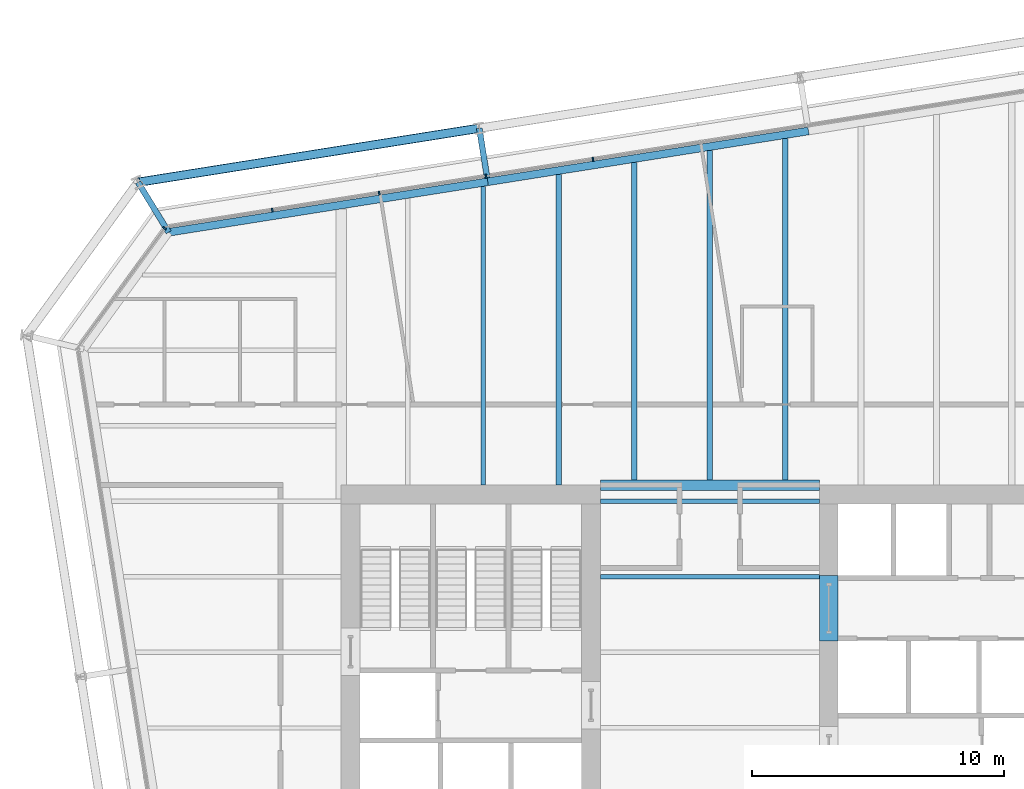
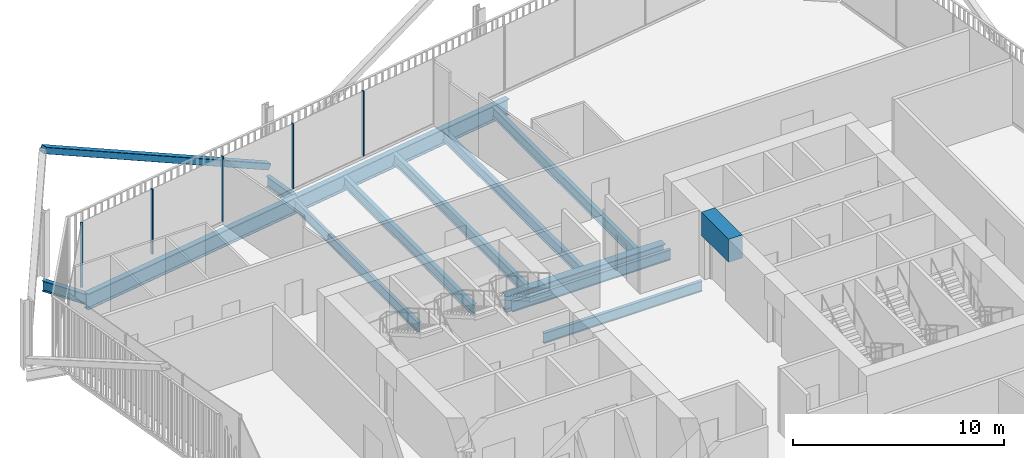
# One storey, part 11 of 22: 13 beams, 6 members, 2 elements without a shape of their own.
"""IFC4 building model written with IfcOpenShell, lengths in metres."""

import ifcopenshell
import ifcopenshell.guid

model = None  # the IFC model being written
_history = None  # IfcOwnerHistory: only IFC2X3 demands one
_inside = {}  # id of a spatial element -> (the spatial element, [elements in it])
_under = {}  # id of a project, library or spatial element -> (it, [spatial elements below it])
_declared = {}  # id of a project -> (the project, [libraries it declares])
_typed = {}  # id of a type object -> (the type object, [elements of that type])
_made_of = {}  # id of a material, layer set ... -> (it, [elements and type objects made of it])


def new_model(schema):
    """Start an empty IFC model of exactly this schema.

    Asked for "IFC4X3", IfcOpenShell would pick the latest addendum, in which some entities
    have other attributes; the version numbers below select the first issue.
    IFC2X3 requires an IfcOwnerHistory on every rooted entity: one is made here for all.
    """
    global model, _history
    if schema == "IFC4X3":
        model = ifcopenshell.file(schema_version=(4, 3, 0, 0))
    else:
        model = ifcopenshell.file(schema=schema)
    _inside.clear()
    _under.clear()
    _declared.clear()
    _typed.clear()
    _made_of.clear()
    _history = None
    if model.schema == "IFC2X3":
        org = make("IfcOrganization", Name="unknown")
        user = make(
            "IfcPersonAndOrganization",
            ThePerson=make("IfcPerson", FamilyName="unknown"),
            TheOrganization=org,
        )
        app = make(
            "IfcApplication",
            ApplicationDeveloper=org,
            Version="unknown",
            ApplicationFullName="unknown",
            ApplicationIdentifier="unknown",
        )
        _history = make(
            "IfcOwnerHistory",
            OwningUser=user,
            OwningApplication=app,
            ChangeAction="ADDED",
            CreationDate=0,
        )
    return model


def make(cls, **values):
    """One entity of the class cls with the attributes given. An attribute that is None is left unset."""
    return model.create_entity(
        cls, **{name: value for name, value in values.items() if value is not None}
    )


def rooted(cls, **values):
    """An entity with a GlobalId (a new one), such as an element, a storey or a relation."""
    return make(cls, GlobalId=ifcopenshell.guid.new(), OwnerHistory=_history, **values)


def si_unit(unit_type, name, prefix=None):
    """IfcSIUnit, for example si_unit("LENGTHUNIT", "METRE", prefix="MILLI")."""
    return make("IfcSIUnit", UnitType=unit_type, Prefix=prefix, Name=name)


def assignment(units):
    """IfcUnitAssignment: the units of a project."""
    return None if units is None else make("IfcUnitAssignment", Units=units)


def point(xyz):
    """IfcCartesianPoint."""
    return None if xyz is None else make("IfcCartesianPoint", Coordinates=xyz)


def direction(xyz):
    """IfcDirection."""
    return None if xyz is None else make("IfcDirection", DirectionRatios=xyz)


def frame(location, z_axis=None, x_axis=None):
    """IfcAxis2Placement3D, a coordinate frame: its origin and axes. An axis left out is left unset."""
    return make(
        "IfcAxis2Placement3D",
        Location=point(location),
        Axis=direction(z_axis),
        RefDirection=direction(x_axis),
    )


def frame_2d(location, x_axis=None):
    """IfcAxis2Placement2D, a coordinate frame in the plane: its origin and x axis."""
    return make(
        "IfcAxis2Placement2D", Location=point(location), RefDirection=direction(x_axis)
    )


def origin():
    """The frame at (0, 0, 0) with its axes left unset."""
    return frame((0.0, 0.0, 0.0))


def origin_2d():
    """The frame at (0, 0) in the plane with its x axis left unset."""
    return frame_2d((0.0, 0.0))


def place(relative_to, where):
    """IfcLocalPlacement: puts the frame where relative to a parent placement (None: the world)."""
    return make(
        "IfcLocalPlacement", PlacementRelTo=relative_to, RelativePlacement=where
    )


def context(
    kind, dimensions, precision=None, world=None, true_north=None, identifier=None
):
    """IfcGeometricRepresentationContext, for example the 3D "Model" context."""
    return make(
        "IfcGeometricRepresentationContext",
        ContextIdentifier=identifier,
        ContextType=kind,
        CoordinateSpaceDimension=dimensions,
        Precision=precision,
        WorldCoordinateSystem=world,
        TrueNorth=true_north,
    )


def subcontext(parent, identifier, kind, view, scale=None):
    """IfcGeometricRepresentationSubContext, for example "Body" below "Model"."""
    return make(
        "IfcGeometricRepresentationSubContext",
        ContextIdentifier=identifier,
        ContextType=kind,
        ParentContext=parent,
        TargetScale=scale,
        TargetView=view,
    )


def project(units=None, contexts=None):
    """IfcProject with its units and contexts."""
    return rooted(
        "IfcProject",
        Name="project",
        RepresentationContexts=contexts,
        UnitsInContext=assignment(units),
    )


def spatial(cls, under=None, at=None, **own):
    """A site, building, storey or space (cls), placed at a placement, below another one or the project."""
    s = rooted(cls, ObjectPlacement=at, **own)
    if under is not None:
        _under.setdefault(under.id(), (under, []))[1].append(s)
    return s


def profile(cls, at=None, kind="AREA", **sizes):
    """A parametric profile (cls). Its sizes go by their IFC names, for example OverallWidth=200.0."""
    return make(cls, ProfileType=kind, Position=at, **sizes)


def rectangle(**sizes):
    """IfcRectangleProfileDef."""
    return profile("IfcRectangleProfileDef", **sizes)


def hollow_rectangle(**sizes):
    """IfcRectangleHollowProfileDef."""
    return profile("IfcRectangleHollowProfileDef", **sizes)


def i_section(**sizes):
    """IfcIShapeProfileDef."""
    return profile("IfcIShapeProfileDef", **sizes)


def extrude(swept, where, along, depth):
    """IfcExtrudedAreaSolid: the profile swept, set in the frame where, extruded along a direction by depth."""
    return make(
        "IfcExtrudedAreaSolid",
        SweptArea=swept,
        Position=where,
        ExtrudedDirection=direction(along),
        Depth=depth,
    )


def shape(context_of_items, identifier, shape_type, items):
    """IfcShapeRepresentation: the items that make up one representation, for example the "Body"."""
    return make(
        "IfcShapeRepresentation",
        ContextOfItems=context_of_items,
        RepresentationIdentifier=identifier,
        RepresentationType=shape_type,
        Items=items,
    )


def material(Name=None, Category=None):
    """IfcMaterial."""
    return make("IfcMaterial", Name=Name, Category=Category)


def layer(
    of_material, thickness, ventilated=None, Name=None, Category=None, Priority=None
):
    """IfcMaterialLayer: one layer of a wall or slab, of a material (None: an air gap)."""
    return make(
        "IfcMaterialLayer",
        Material=of_material,
        LayerThickness=thickness,
        IsVentilated=ventilated,
        Name=Name,
        Category=Category,
        Priority=Priority,
    )


def layer_set(layers, Name=None):
    """IfcMaterialLayerSet."""
    return make("IfcMaterialLayerSet", MaterialLayers=layers, LayerSetName=Name)


def material_profile(
    of_material, cross_section, Name=None, Category=None, Priority=None
):
    """IfcMaterialProfile: a cross section and its material."""
    return make(
        "IfcMaterialProfile",
        Name=Name,
        Material=of_material,
        Profile=cross_section,
        Priority=Priority,
        Category=Category,
    )


def profile_set(profiles, Name=None, composite=None):
    """IfcMaterialProfileSet."""
    return make(
        "IfcMaterialProfileSet",
        Name=Name,
        MaterialProfiles=profiles,
        CompositeProfile=composite,
    )


def made_of(thing, what):
    """Note that an element or type object is made of a material, layer set ...; save() writes the relation."""
    if what is not None:
        _made_of.setdefault(what.id(), (what, []))[1].append(thing)
    return thing


def type_object(cls, material=None, **own):
    """A type object (cls), such as IfcWallType, which elements share."""
    return made_of(rooted(cls, **own), material)


def element(
    cls,
    number,
    at=None,
    inside=None,
    cuts=None,
    type_object=None,
    material=None,
    context=None,
    identifier="Body",
    shape_type=None,
    held_by="IfcProductDefinitionShape",
    body=None,
    shapes=None,
    **own,
):
    """One element of the class cls, such as IfcWall. Its Tag is "e" and its number.

    at: its placement. inside: the storey or other place that contains it. cuts: it is an
    opening in that element (IfcRelVoidsElement). A single representation is given by context,
    identifier, shape_type and body (its items); several are given by shapes. held_by: the class
    of the entity that holds the representations. save() writes the other relations.
    """
    e = rooted(cls, Tag="e%d" % number, ObjectPlacement=at, **own)
    if body is not None:
        shapes = [shape(context, identifier, shape_type, body)]
    if shapes is not None:
        e.Representation = make(held_by, Representations=shapes)
    if inside is not None:
        _inside.setdefault(inside.id(), (inside, []))[1].append(e)
    if cuts is not None:
        rooted(
            "IfcRelVoidsElement", RelatingBuildingElement=cuts, RelatedOpeningElement=e
        )
    if type_object is not None:
        _typed.setdefault(type_object.id(), (type_object, []))[1].append(e)
    return made_of(e, material)


def aggregate(whole, parts):
    """IfcRelAggregates: a whole, such as a stair, and the parts it consists of."""
    return rooted("IfcRelAggregates", RelatingObject=whole, RelatedObjects=parts)


def save(model, path):
    """Write the relations noted so far, then the file.

    IfcRelAggregates (storeys below a building ...), IfcRelContainedInSpatialStructure (elements
    in a storey), IfcRelDefinesByType, IfcRelAssociatesMaterial and IfcRelDeclares: one each for
    every whole, place, type object, material and project.
    """
    for whole, parts in _under.values():
        aggregate(whole, parts)
    for where, things in _inside.values():
        rooted(
            "IfcRelContainedInSpatialStructure",
            RelatedElements=things,
            RelatingStructure=where,
        )
    for kind, things in _typed.values():
        rooted("IfcRelDefinesByType", RelatedObjects=things, RelatingType=kind)
    for what, things in _made_of.values():
        rooted("IfcRelAssociatesMaterial", RelatedObjects=things, RelatingMaterial=what)
    for by, libraries in _declared.values():
        rooted("IfcRelDeclares", RelatingContext=by, RelatedDefinitions=libraries)
    model.write(path)


model = new_model("IFC4")

# Units and contexts
model_context = context("Model", 3, precision=1e-05, world=origin(), true_north=direction((0.0, 1.0)))
body_context = subcontext(model_context, "Body", "Model", "MODEL_VIEW")
ifc_project = project(units=[si_unit("LENGTHUNIT", "METRE"), si_unit("AREAUNIT", "SQUARE_METRE"), si_unit("VOLUMEUNIT", "CUBIC_METRE"), si_unit("PLANEANGLEUNIT", "RADIAN"), si_unit("MASSUNIT", "GRAM", prefix="KILO")], contexts=[model_context])

# Site, building, storey
site_placement = place(None, origin())
site = spatial("IfcSite", under=ifc_project, at=site_placement, CompositionType="ELEMENT")
building_placement = place(site_placement, origin())
building = spatial("IfcBuilding", under=site, at=building_placement, Name="Millrace Tower", CompositionType="ELEMENT")
storey_placement = place(building_placement, frame((0.0, 0.0, 137.300048828125)))
storey = spatial("IfcBuildingStorey", under=building, at=storey_placement, Name="L30", CompositionType="ELEMENT", Elevation=137.300048828125)

# Curtain wall, members
ifc_material_1 = material(Name="Aluminium and glass", Category="aluminium")
ifc_layer = layer(ifc_material_1, 0.14990234375)
ifc_layer_set = layer_set([ifc_layer], Name="Aluminium and glass")
curtain_wall_type = type_object("IfcCurtainWallType", Name="CW-1 office vision curtain wall", PredefinedType="NOTDEFINED", material=ifc_layer_set)
placement = place(storey_placement, origin())
curtain_wall_1 = element("IfcCurtainWall", 1, at=placement, inside=storey, type_object=curtain_wall_type, Name="Curtain wall C-F06 L30", PredefinedType="NOTDEFINED")
ifc_material_2 = material(Name="Aluminium", Category="aluminium")
ifc_material_profile_1 = material_profile(ifc_material_2, rectangle(XDim=0.06494140625, YDim=0.14990234375, at=origin_2d()))
ifc_profile_set_1 = profile_set([ifc_material_profile_1], Name="Aluminium")
member_type_1 = type_object("IfcMemberType", Name="CW-1 office vision curtain wall mullion", PredefinedType="MULLION", material=ifc_profile_set_1)
member_1_placement = place(storey_placement, frame((-4.6435546875, 22.59326171875, 0.139892578125), z_axis=(0.0, 0.0, 1.0), x_axis=(-0.98768833929, -0.15643447328, 0.0)))
member_1 = element("IfcMember", 2, at=member_1_placement, type_object=member_type_1, Name="CW1 mullion C-F06.6", PredefinedType="MULLION", context=body_context, shape_type="SweptSolid", body=[
    extrude(rectangle(XDim=0.06494140625, YDim=0.14990234375, at=origin_2d()), origin(), (0.0, 0.0, 1.0), 3.760009765625),
])
member_2_placement = place(storey_placement, frame((-8.890625, 21.920654296875, 0.139892578125), z_axis=(0.0, 0.0, 1.0), x_axis=(-0.98768833929, -0.15643447328, 0.0)))
member_2 = element("IfcMember", 3, at=member_2_placement, type_object=member_type_1, Name="CW1 mullion C-F06.7", PredefinedType="MULLION", context=body_context, shape_type="SweptSolid", body=[
    extrude(rectangle(XDim=0.06494140625, YDim=0.14990234375, at=origin_2d()), origin(), (0.0, 0.0, 1.0), 3.760009765625),
])
member_3_placement = place(storey_placement, frame((-13.1376953125, 21.248046875, 0.139892578125), z_axis=(0.0, 0.0, 1.0), x_axis=(-0.98768833929, -0.15643447328, 0.0)))
member_3 = element("IfcMember", 4, at=member_3_placement, type_object=member_type_1, Name="CW1 mullion C-F06.8", PredefinedType="MULLION", context=body_context, shape_type="SweptSolid", body=[
    extrude(rectangle(XDim=0.06494140625, YDim=0.14990234375, at=origin_2d()), origin(), (0.0, 0.0, 1.0), 3.760009765625),
])
member_4_placement = place(storey_placement, frame((-17.384765625, 20.575439453125, 0.139892578125), z_axis=(0.0, 0.0, 1.0), x_axis=(-0.98768833929, -0.15643447328, 0.0)))
member_4 = element("IfcMember", 5, at=member_4_placement, type_object=member_type_1, Name="CW1 mullion C-F06.9", PredefinedType="MULLION", context=body_context, shape_type="SweptSolid", body=[
    extrude(rectangle(XDim=0.06494140625, YDim=0.14990234375, at=origin_2d()), origin(), (0.0, 0.0, 1.0), 3.760009765625),
])
aggregate(curtain_wall_1, [member_1, member_2, member_3, member_4])

# Curtain wall, member
curtain_wall_2 = element("IfcCurtainWall", 6, at=placement, inside=storey, type_object=curtain_wall_type, Name="Curtain wall C-F07 L30", PredefinedType="NOTDEFINED")
member_5_placement = place(storey_placement, frame((-21.667724609375, 19.8515625, 0.139892578125), z_axis=(0.0, 0.0, 1.0), x_axis=(-0.587785269844, -0.809016981623, 0.0)))
member_5 = element("IfcMember", 7, at=member_5_placement, type_object=member_type_1, Name="CW1 mullion C-F07.1", PredefinedType="MULLION", context=body_context, shape_type="SweptSolid", body=[
    extrude(rectangle(XDim=0.06494140625, YDim=0.14990234375, at=origin_2d()), origin(), (0.0, 0.0, 1.0), 3.760009765625),
])
aggregate(curtain_wall_2, [member_5])

# Beam
ifc_material_3 = material(Name="Concrete C70", Category="concrete")
ifc_material_profile_2 = material_profile(ifc_material_3, rectangle(XDim=0.75, YDim=1.340087890625, at=origin_2d()))
ifc_profile_set_2 = profile_set([ifc_material_profile_2], Name="Concrete C70")
beam_type_1 = type_object("IfcBeamType", Name="Coupling beam 750 x 1340 Concrete C70, 2000 opening", PredefinedType="BEAM", material=ifc_profile_set_2)
beam_1_placement = place(storey_placement, frame((4.72509765625, 6.050048828125, 3.070068359375), z_axis=(0.0, -1.0, 0.0), x_axis=(1.0, 0.0, 0.0)))
element("IfcBeam", 8, at=beam_1_placement, inside=storey, type_object=beam_type_1, Name="Coupling beam E L30", PredefinedType="BEAM", context=body_context, shape_type="SweptSolid", body=[
    extrude(rectangle(XDim=0.75, YDim=1.340087890625, at=origin_2d()), origin(), (0.0, 0.0, 1.0), 2.60009765625),
])

# Member
ifc_material_4 = material(Name="Steel ASTM A500 Grade C", Category="steel")
ifc_material_profile_3 = material_profile(ifc_material_4, hollow_rectangle(XDim=0.355712890625, YDim=0.355712890625, WallThickness=0.015869140625, InnerFilletRadius=0.008056640625, OuterFilletRadius=0.02392578125, at=origin_2d()))
ifc_profile_set_3 = profile_set([ifc_material_profile_3], Name="Steel ASTM A500 Grade C")
member_type_2 = type_object("IfcMemberType", Name="Exoskeleton brace HSS14x14x5/8", PredefinedType="BRACE", material=ifc_profile_set_3)
member_6_placement = place(storey_placement, frame((-9.15966796875, 23.8271484375, 0.39990234375), z_axis=(-0.879904612171, -0.139370908249, 0.454250617407), x_axis=(0.156442906258, -0.987687003601, 0.0)))
element("IfcMember", 9, at=member_6_placement, inside=storey, type_object=member_type_2, Name="BRC-C-L30-12", PredefinedType="BRACE", context=body_context, shape_type="SweptSolid", body=[
    extrude(hollow_rectangle(XDim=0.355712890625, YDim=0.355712890625, WallThickness=0.015869140625, InnerFilletRadius=0.008056640625, OuterFilletRadius=0.02392578125, at=origin_2d()), origin(), (0.0, 0.0, 1.0), 15.409912109375),
])

# Beams
ifc_material_5 = material(Name="Steel ASTM A992 Grade 50", Category="steel")
ifc_material_profile_4 = material_profile(ifc_material_5, i_section(OverallWidth=0.177978515625, OverallDepth=0.599365234375, WebThickness=0.010009765625, FlangeThickness=0.012939453125, FilletRadius=0.012939453125, at=origin_2d()))
ifc_profile_set_4 = profile_set([ifc_material_profile_4], Name="Steel ASTM A992 Grade 50")
beam_type_2 = type_object("IfcBeamType", Name="Floor beam W24x55", PredefinedType="JOIST", material=ifc_profile_set_4)
for number, where, z_axis, x_axis, name in (
    (10, (-4.35009765625, 6.0, -0.459716796875), (1.0, 0.0, 0.0), (0.0, 1.0, 0.0), "BM-C-L30-S1-S025"),
    (11, (-4.35009765625, 9.0, -0.459716796875), (1.0, 0.0, 0.0), (0.0, 1.0, 0.0), "BM-C-L30-S1-S028"),
):
    element("IfcBeam", number, at=place(storey_placement, frame(where, z_axis=z_axis, x_axis=x_axis)), inside=storey, type_object=beam_type_2, Name=name, PredefinedType="JOIST", context=body_context, shape_type="SweptSolid", body=[
        extrude(i_section(OverallWidth=0.177978515625, OverallDepth=0.599365234375, WebThickness=0.010009765625, FlangeThickness=0.012939453125, FilletRadius=0.012939453125, at=origin_2d()), origin(), (0.0, 0.0, 1.0), 8.7001953125),
    ])
ifc_material_6 = material(Name="Steel ASTM A992 Grade 50", Category="steel")
ifc_material_profile_5 = material_profile(ifc_material_6, i_section(OverallWidth=0.1787109375, OverallDepth=0.60205078125, WebThickness=0.010986328125, FlangeThickness=0.014892578125, FilletRadius=0.0126953125, at=origin_2d()))
ifc_profile_set_5 = profile_set([ifc_material_profile_5], Name="Steel ASTM A992 Grade 50")
beam_type_3 = type_object("IfcBeamType", Name="Floor beam W24x62", PredefinedType="JOIST", material=ifc_profile_set_5)
beam_2_placement = place(storey_placement, frame((-9.0, 9.64990234375, -0.4609375), z_axis=(0.0, 1.0, 0.0), x_axis=(-1.0, 0.0, 0.0)))
element("IfcBeam", 12, at=beam_2_placement, inside=storey, type_object=beam_type_3, Name="BM-C-L30-S1-S041", PredefinedType="JOIST", context=body_context, shape_type="SweptSolid", body=[
    extrude(i_section(OverallWidth=0.1787109375, OverallDepth=0.60205078125, WebThickness=0.010986328125, FlangeThickness=0.014892578125, FilletRadius=0.0126953125, at=origin_2d()), origin(), (0.0, 0.0, 1.0), 11.866455078125),
])
ifc_material_7 = material(Name="Steel ASTM A992 Grade 50", Category="steel")
ifc_material_profile_6 = material_profile(ifc_material_7, i_section(OverallWidth=0.228271484375, OverallDepth=0.607177734375, WebThickness=0.01123046875, FlangeThickness=0.017333984375, FilletRadius=0.0126953125, at=origin_2d()))
ifc_profile_set_6 = profile_set([ifc_material_profile_6], Name="Steel ASTM A992 Grade 50")
beam_type_4 = type_object("IfcBeamType", Name="Floor beam W24x76", PredefinedType="JOIST", material=ifc_profile_set_6)
beam_3_placement = place(storey_placement, frame((-6.0, 9.64990234375, -0.463623046875), z_axis=(0.0, 1.0, 0.0), x_axis=(-1.0, 0.0, 0.0)))
element("IfcBeam", 13, at=beam_3_placement, inside=storey, type_object=beam_type_4, Name="BM-C-L30-S1-S043", PredefinedType="JOIST", context=body_context, shape_type="SweptSolid", body=[
    extrude(i_section(OverallWidth=0.228271484375, OverallDepth=0.607177734375, WebThickness=0.01123046875, FlangeThickness=0.017333984375, FilletRadius=0.0126953125, at=origin_2d()), origin(), (0.0, 0.0, 1.0), 12.341552734375),
])
beam_4_placement = place(storey_placement, frame((-3.0, 9.859619140625, -0.463623046875), z_axis=(0.0, 1.0, 0.0), x_axis=(-1.0, 0.0, 0.0)))
element("IfcBeam", 14, at=beam_4_placement, inside=storey, type_object=beam_type_4, Name="BM-C-L30-S1-S045", PredefinedType="JOIST", context=body_context, shape_type="SweptSolid", body=[
    extrude(i_section(OverallWidth=0.228271484375, OverallDepth=0.607177734375, WebThickness=0.01123046875, FlangeThickness=0.017333984375, FilletRadius=0.0126953125, at=origin_2d()), origin(), (0.0, 0.0, 1.0), 12.60693359375),
])
beam_5_placement = place(storey_placement, frame((0.0, 9.859619140625, -0.463623046875), z_axis=(0.0, 1.0, 0.0), x_axis=(-1.0, 0.0, 0.0)))
element("IfcBeam", 15, at=beam_5_placement, inside=storey, type_object=beam_type_4, Name="BM-C-L30-S1-S047", PredefinedType="JOIST", context=body_context, shape_type="SweptSolid", body=[
    extrude(i_section(OverallWidth=0.228271484375, OverallDepth=0.607177734375, WebThickness=0.01123046875, FlangeThickness=0.017333984375, FilletRadius=0.0126953125, at=origin_2d()), origin(), (0.0, 0.0, 1.0), 13.08203125),
])
beam_6_placement = place(storey_placement, frame((3.0, 9.859619140625, -0.463623046875), z_axis=(0.0, 1.0, 0.0), x_axis=(-1.0, 0.0, 0.0)))
element("IfcBeam", 16, at=beam_6_placement, inside=storey, type_object=beam_type_4, Name="BM-C-L30-S1-S049", PredefinedType="JOIST", context=body_context, shape_type="SweptSolid", body=[
    extrude(i_section(OverallWidth=0.228271484375, OverallDepth=0.607177734375, WebThickness=0.01123046875, FlangeThickness=0.017333984375, FilletRadius=0.0126953125, at=origin_2d()), origin(), (0.0, 0.0, 1.0), 13.55712890625),
])
ifc_material_8 = material(Name="Steel ASTM A992 Grade 50", Category="steel")
ifc_material_profile_7 = material_profile(ifc_material_8, i_section(OverallWidth=0.419189453125, OverallDepth=0.927001953125, WebThickness=0.019287109375, FlangeThickness=0.031982421875, FilletRadius=0.024169921875, at=origin_2d()))
ifc_profile_set_7 = profile_set([ifc_material_profile_7], Name="Steel ASTM A992 Grade 50")
beam_type_5 = type_object("IfcBeamType", Name="Girder short span W36x231", PredefinedType="BEAM", material=ifc_profile_set_7)
beam_7_placement = place(storey_placement, frame((-4.35009765625, 9.64990234375, -0.62353515625), z_axis=(1.0, 0.0, 0.0), x_axis=(0.0, 1.0, 0.0)))
element("IfcBeam", 17, at=beam_7_placement, inside=storey, type_object=beam_type_5, Name="BM-C-L30-S1-G061", PredefinedType="BEAM", context=body_context, shape_type="SweptSolid", body=[
    extrude(i_section(OverallWidth=0.419189453125, OverallDepth=0.927001953125, WebThickness=0.019287109375, FlangeThickness=0.031982421875, FilletRadius=0.024169921875, at=origin_2d()), origin(), (0.0, 0.0, 1.0), 8.7001953125),
])
ifc_material_9 = material(Name="Steel ASTM A992 Grade 50", Category="steel")
ifc_material_profile_8 = material_profile(ifc_material_9, i_section(OverallWidth=0.23046875, OverallDepth=0.6171875, WebThickness=0.01318359375, FlangeThickness=0.022216796875, FilletRadius=0.012939453125, at=origin_2d()))
ifc_profile_set_8 = profile_set([ifc_material_profile_8], Name="Steel ASTM A992 Grade 50")
beam_type_6 = type_object("IfcBeamType", Name="Link beam W24x94", PredefinedType="BEAM", material=ifc_profile_set_8)
beam_8_placement = place(storey_placement, frame((-21.5009765625, 19.69189453125, -0.46875), z_axis=(-0.522512938711, 0.852631355792, 0.0), x_axis=(-0.852631355792, -0.522512938711, 0.0)))
element("IfcBeam", 18, at=beam_8_placement, inside=storey, type_object=beam_type_6, Name="LNK-C-L30-S1-05", PredefinedType="BEAM", context=body_context, shape_type="SweptSolid", body=[
    extrude(i_section(OverallWidth=0.23046875, OverallDepth=0.6171875, WebThickness=0.01318359375, FlangeThickness=0.022216796875, FilletRadius=0.012939453125, at=origin_2d()), origin(), (0.0, 0.0, 1.0), 2.3310546875),
])
beam_9_placement = place(storey_placement, frame((-8.8466796875, 21.8515625, -0.46875), z_axis=(-0.156476509441, 0.987681680499, 0.0), x_axis=(-0.987681680499, -0.156476509441, 0.0)))
element("IfcBeam", 19, at=beam_9_placement, inside=storey, type_object=beam_type_6, Name="LNK-C-L30-S1-06", PredefinedType="BEAM", context=body_context, shape_type="SweptSolid", body=[
    extrude(i_section(OverallWidth=0.23046875, OverallDepth=0.6171875, WebThickness=0.01318359375, FlangeThickness=0.022216796875, FilletRadius=0.012939453125, at=origin_2d()), origin(), (0.0, 0.0, 1.0), 2.000244140625),
])
ifc_material_10 = material(Name="Steel ASTM A992 Grade 50", Category="steel")
ifc_material_profile_9 = material_profile(ifc_material_10, i_section(OverallWidth=0.307373046875, OverallDepth=0.927001953125, WebThickness=0.01953125, FlangeThickness=0.031982421875, FilletRadius=0.01904296875, at=origin_2d()))
ifc_profile_set_9 = profile_set([ifc_material_profile_9], Name="Steel ASTM A992 Grade 50")
beam_type_7 = type_object("IfcBeamType", Name="Ring beam medium span W36x194", PredefinedType="SPANDREL", material=ifc_profile_set_9)
beam_10_placement = place(storey_placement, frame((-21.5009765625, 19.69189453125, -0.62353515625), z_axis=(0.987688058438, 0.156436246498, 0.0), x_axis=(-0.156436246498, 0.987688058438, 0.0)))
element("IfcBeam", 20, at=beam_10_placement, inside=storey, type_object=beam_type_7, Name="RNG-C-L30-S1-05", PredefinedType="SPANDREL", context=body_context, shape_type="SweptSolid", body=[
    extrude(i_section(OverallWidth=0.307373046875, OverallDepth=0.927001953125, WebThickness=0.01953125, FlangeThickness=0.031982421875, FilletRadius=0.01904296875, at=origin_2d()), origin(), (0.0, 0.0, 1.0), 12.836181640625),
])
beam_11_placement = place(storey_placement, frame((-8.82275390625, 21.699951171875, -0.62353515625), z_axis=(0.987687659758, 0.156438763615, 0.0), x_axis=(-0.156438763615, 0.987687659758, 0.0)))
element("IfcBeam", 21, at=beam_11_placement, inside=storey, type_object=beam_type_7, Name="RNG-C-L30-S1-06", PredefinedType="SPANDREL", context=body_context, shape_type="SweptSolid", body=[
    extrude(i_section(OverallWidth=0.307373046875, OverallDepth=0.927001953125, WebThickness=0.01953125, FlangeThickness=0.031982421875, FilletRadius=0.01904296875, at=origin_2d()), origin(), (0.0, 0.0, 1.0), 12.900146484375),
])

save(model, "model.ifc")
